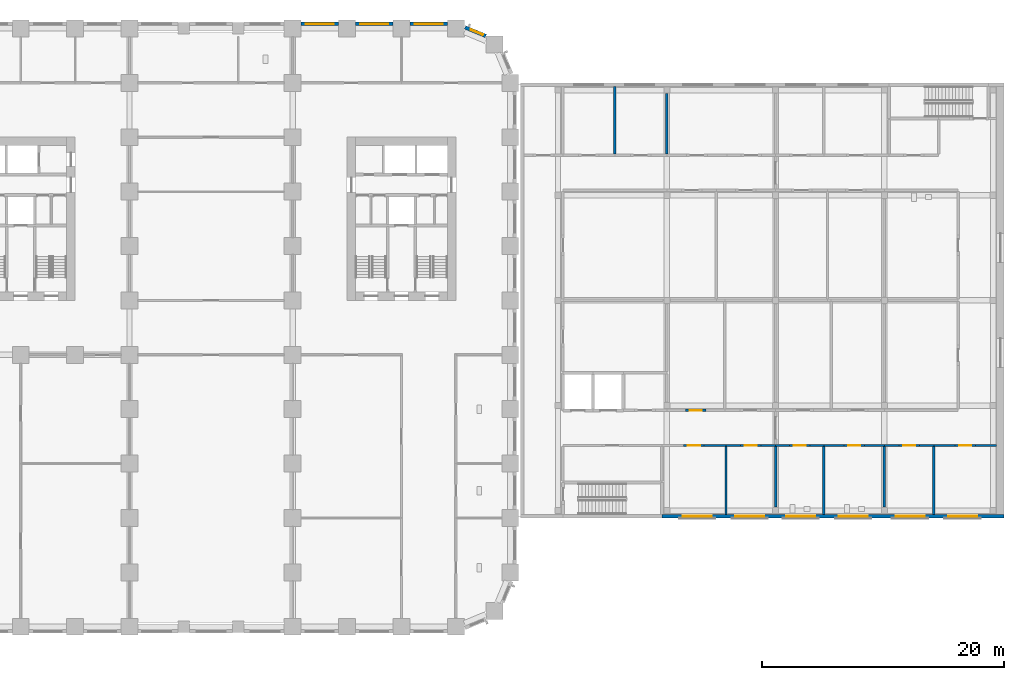
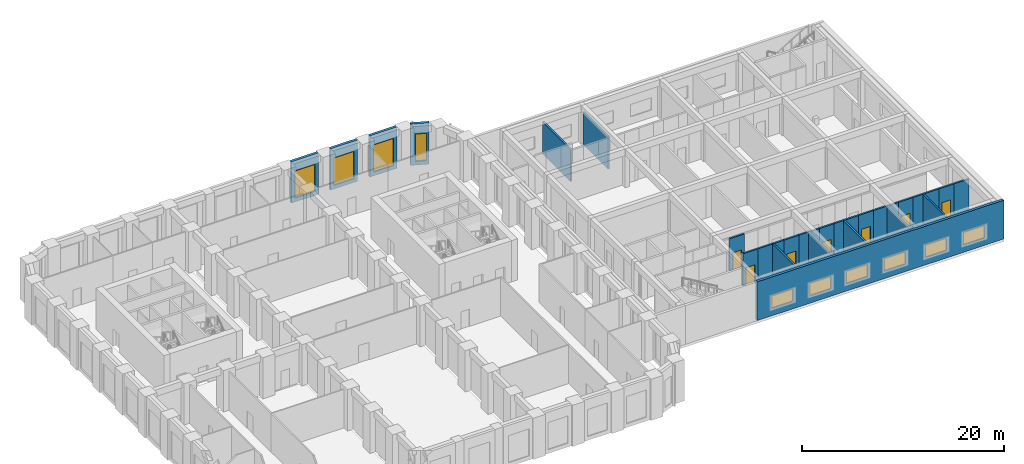
# One storey, part 9 of 19: 30 walls, 10 windows, 7 doors, 17 openings.
"""IFC4 building model written with IfcOpenShell, lengths in metres."""

from ifc_helpers import new_model, si_unit, direction, frame, frame_2d, origin, place, context, subcontext, project, spatial, rectangle, extrude, material, layer, layer_set, type_object, element, fill, save


model = new_model("IFC4")

# Units and contexts
model_context = context("Model", 3, precision=1e-05, world=origin(), true_north=direction((0.0, 1.0)))
body_context = subcontext(model_context, "Body", "Model", "MODEL_VIEW")
ifc_project = project(units=[si_unit("LENGTHUNIT", "METRE"), si_unit("AREAUNIT", "SQUARE_METRE"), si_unit("VOLUMEUNIT", "CUBIC_METRE"), si_unit("PLANEANGLEUNIT", "RADIAN"), si_unit("MASSUNIT", "GRAM", prefix="KILO")], contexts=[model_context])

# Site, building, storey
site_placement = place(None, origin())
site = spatial("IfcSite", under=ifc_project, at=site_placement, CompositionType="ELEMENT")
building_placement = place(site_placement, origin())
building = spatial("IfcBuilding", under=site, at=building_placement, Name="Girih Gate Residences", CompositionType="ELEMENT")
storey_placement = place(building_placement, frame((0.0, 0.0, 21.0)))
storey = spatial("IfcBuildingStorey", under=building, at=storey_placement, Name="L04", CompositionType="ELEMENT", Elevation=21.0)

# Wall, opening, door
ifc_material_1 = material(Name="Fire-rated gypsum partition")
ifc_layer_1 = layer(ifc_material_1, 0.199951171875)
ifc_layer_set_1 = layer_set([ifc_layer_1], Name="HC Corridor wall 200 EI 60")
wall_type_1 = type_object("IfcWallType", Name="HC Corridor wall 200 EI 60", PredefinedType="PARTITIONING", material=ifc_layer_set_1)
wall_1_placement = place(storey_placement, frame((65.550048828125, 15.0, 0.0), z_axis=(0.0, 0.0, 1.0), x_axis=(-1.0, 0.0, 0.0)))
wall_1 = element("IfcWall", 1, at=wall_1_placement, inside=storey, type_object=wall_type_1, Name="L04 wall x15.00/63.9", PredefinedType="PARTITIONING", context=body_context, shape_type="SweptSolid", body=[
    extrude(rectangle(XDim=1.699951171875, YDim=0.199951171875, at=frame_2d((0.85009765625, 0.0))), origin(), (0.0, 0.0, 1.0), 3.89990234375),
])
opening_1_placement = place(wall_1_placement, frame((0.35009765625, 0.0, 0.0)))
opening_1 = element("IfcOpeningElement", 2, at=opening_1_placement, cuts=wall_1, Name="Opening HC-L04-D08", PredefinedType="OPENING", context=body_context, shape_type="SweptSolid", body=[
    extrude(rectangle(XDim=1.0, YDim=2.10009765625, at=frame_2d((0.5, 1.050048828125))), frame((0.0, 0.10986328125, 0.0), z_axis=(0.0, -1.0, 0.0), x_axis=(1.0, 0.0, 0.0)), (0.0, 0.0, 1.0), 0.219970703125),
])
ifc_material_2 = material(Name="Timber door set", Category="wood")
door_type = type_object("IfcDoorType", Name="HC Door 1000x2100 FD30S", OperationType="NOTDEFINED", PredefinedType="DOOR", material=ifc_material_2)
door_1_placement = place(opening_1_placement, origin())
door_1 = element("IfcDoor", 3, at=door_1_placement, inside=storey, type_object=door_type, Name="L04 Administration office door", OperationType="SINGLE_SWING_LEFT", OverallHeight=2.10009765625, OverallWidth=1.0, PredefinedType="DOOR", context=body_context, shape_type="SweptSolid", body=[
    extrude(rectangle(XDim=1.0, YDim=2.10009765625, at=frame_2d((0.5, 1.050048828125))), frame((0.0, 0.02490234375, 0.0), z_axis=(0.0, -1.0, 0.0), x_axis=(1.0, 0.0, 0.0)), (0.0, 0.0, 1.0), 0.050048828125),
])
fill(opening_1, door_1)

# Walls
wall_2_placement = place(storey_placement, frame((65.550048828125, 15.0, 0.0), z_axis=(0.0, 0.0, 1.0), x_axis=(1.0, 0.0, 0.0)))
element("IfcWall", 4, at=wall_2_placement, inside=storey, type_object=wall_type_1, Name="L04 wall x15.00/65.5", PredefinedType="PARTITIONING", context=body_context, shape_type="SweptSolid", body=[
    extrude(rectangle(XDim=1.800048828125, YDim=0.199951171875, at=frame_2d((0.89990234375, 0.0))), origin(), (0.0, 0.0, 1.0), 3.89990234375),
])
wall_3_placement = place(storey_placement, frame((67.35009765625, 15.0, 0.0), z_axis=(0.0, 0.0, 1.0), x_axis=(1.0, 0.0, 0.0)))
element("IfcWall", 5, at=wall_3_placement, inside=storey, type_object=wall_type_1, Name="L04 wall x15.00/67.3", PredefinedType="PARTITIONING", context=body_context, shape_type="SweptSolid", body=[
    extrude(rectangle(XDim=1.199951171875, YDim=0.199951171875, at=frame_2d((0.60009765625, 0.0))), origin(), (0.0, 0.0, 1.0), 3.89990234375),
])

# Wall, opening, door
wall_4_placement = place(storey_placement, frame((70.25, 15.0, 0.0), z_axis=(0.0, 0.0, 1.0), x_axis=(-1.0, 0.0, 0.0)))
wall_4 = element("IfcWall", 6, at=wall_4_placement, inside=storey, type_object=wall_type_1, Name="L04 wall x15.00/68.6", PredefinedType="PARTITIONING", context=body_context, shape_type="SweptSolid", body=[
    extrude(rectangle(XDim=1.699951171875, YDim=0.199951171875, at=frame_2d((0.85009765625, 0.0))), origin(), (0.0, 0.0, 1.0), 3.89990234375),
])
opening_2_placement = place(wall_4_placement, frame((0.35009765625, 0.0, 0.0)))
opening_2 = element("IfcOpeningElement", 7, at=opening_2_placement, cuts=wall_4, Name="Opening HC-L04-D09", PredefinedType="OPENING", context=body_context, shape_type="SweptSolid", body=[
    extrude(rectangle(XDim=1.0, YDim=2.10009765625, at=frame_2d((0.5, 1.050048828125))), frame((0.0, 0.10986328125, 0.0), z_axis=(0.0, -1.0, 0.0), x_axis=(1.0, 0.0, 0.0)), (0.0, 0.0, 1.0), 0.219970703125),
])
door_2_placement = place(opening_2_placement, origin())
door_2 = element("IfcDoor", 8, at=door_2_placement, inside=storey, type_object=door_type, Name="L04 Finance office door", OperationType="SINGLE_SWING_RIGHT", OverallHeight=2.10009765625, OverallWidth=1.0, PredefinedType="DOOR", context=body_context, shape_type="SweptSolid", body=[
    extrude(rectangle(XDim=1.0, YDim=2.10009765625, at=frame_2d((0.5, 1.050048828125))), frame((0.0, 0.02490234375, 0.0), z_axis=(0.0, -1.0, 0.0), x_axis=(1.0, 0.0, 0.0)), (0.0, 0.0, 1.0), 0.050048828125),
])
fill(opening_2, door_2)

# Walls
wall_5_placement = place(storey_placement, frame((70.25, 15.0, 0.0), z_axis=(0.0, 0.0, 1.0), x_axis=(1.0, 0.0, 0.0)))
element("IfcWall", 9, at=wall_5_placement, inside=storey, type_object=wall_type_1, Name="L04 wall x15.00/70.2", PredefinedType="PARTITIONING", context=body_context, shape_type="SweptSolid", body=[
    extrude(rectangle(XDim=1.199951171875, YDim=0.199951171875, at=frame_2d((0.60009765625, 0.0))), origin(), (0.0, 0.0, 1.0), 3.89990234375),
])
wall_6_placement = place(storey_placement, frame((71.449951171875, 15.0, 0.0), z_axis=(0.0, 0.0, 1.0), x_axis=(1.0, 0.0, 0.0)))
element("IfcWall", 10, at=wall_6_placement, inside=storey, type_object=wall_type_1, Name="L04 wall x15.00/71.5", PredefinedType="PARTITIONING", context=body_context, shape_type="SweptSolid", body=[
    extrude(rectangle(XDim=1.150146484375, YDim=0.199951171875, at=frame_2d((0.5751953125, 0.0))), origin(), (0.0, 0.0, 1.0), 3.89990234375),
])

# Wall, opening, door
wall_7_placement = place(storey_placement, frame((74.300048828125, 15.0, 0.0), z_axis=(0.0, 0.0, 1.0), x_axis=(-1.0, 0.0, 0.0)))
wall_7 = element("IfcWall", 11, at=wall_7_placement, inside=storey, type_object=wall_type_1, Name="L04 wall x15.00/72.6", PredefinedType="PARTITIONING", context=body_context, shape_type="SweptSolid", body=[
    extrude(rectangle(XDim=1.699951171875, YDim=0.199951171875, at=frame_2d((0.85009765625, 0.0))), origin(), (0.0, 0.0, 1.0), 3.89990234375),
])
opening_3_placement = place(wall_7_placement, frame((0.35009765625, 0.0, 0.0)))
opening_3 = element("IfcOpeningElement", 12, at=opening_3_placement, cuts=wall_7, Name="Opening HC-L04-D10", PredefinedType="OPENING", context=body_context, shape_type="SweptSolid", body=[
    extrude(rectangle(XDim=1.0, YDim=2.10009765625, at=frame_2d((0.5, 1.050048828125))), frame((0.0, 0.10986328125, 0.0), z_axis=(0.0, -1.0, 0.0), x_axis=(1.0, 0.0, 0.0)), (0.0, 0.0, 1.0), 0.219970703125),
])
door_3_placement = place(opening_3_placement, origin())
door_3 = element("IfcDoor", 13, at=door_3_placement, inside=storey, type_object=door_type, Name="L04 Accessible WC door", OperationType="SINGLE_SWING_LEFT", OverallHeight=2.10009765625, OverallWidth=1.0, PredefinedType="DOOR", context=body_context, shape_type="SweptSolid", body=[
    extrude(rectangle(XDim=1.0, YDim=2.10009765625, at=frame_2d((0.5, 1.050048828125))), frame((0.0, 0.02490234375, 0.0), z_axis=(0.0, -1.0, 0.0), x_axis=(1.0, 0.0, 0.0)), (0.0, 0.0, 1.0), 0.050048828125),
])
fill(opening_3, door_3)

# Walls
wall_8_placement = place(storey_placement, frame((74.300048828125, 15.0, 0.0), z_axis=(0.0, 0.0, 1.0), x_axis=(1.0, 0.0, 0.0)))
element("IfcWall", 14, at=wall_8_placement, inside=storey, type_object=wall_type_1, Name="L04 wall x15.00/74.3", PredefinedType="PARTITIONING", context=body_context, shape_type="SweptSolid", body=[
    extrude(rectangle(XDim=1.14990234375, YDim=0.199951171875, at=frame_2d((0.574951171875, 0.0))), origin(), (0.0, 0.0, 1.0), 3.89990234375),
])
wall_9_placement = place(storey_placement, frame((75.449951171875, 15.0, 0.0), z_axis=(0.0, 0.0, 1.0), x_axis=(1.0, 0.0, 0.0)))
element("IfcWall", 15, at=wall_9_placement, inside=storey, type_object=wall_type_1, Name="L04 wall x15.00/75.5", PredefinedType="PARTITIONING", context=body_context, shape_type="SweptSolid", body=[
    extrude(rectangle(XDim=1.650146484375, YDim=0.199951171875, at=frame_2d((0.8251953125, 0.0))), origin(), (0.0, 0.0, 1.0), 3.89990234375),
])

# Wall, opening, door
wall_10_placement = place(storey_placement, frame((78.800048828125, 15.0, 0.0), z_axis=(0.0, 0.0, 1.0), x_axis=(-1.0, 0.0, 0.0)))
wall_10 = element("IfcWall", 16, at=wall_10_placement, inside=storey, type_object=wall_type_1, Name="L04 wall x15.00/77.1", PredefinedType="PARTITIONING", context=body_context, shape_type="SweptSolid", body=[
    extrude(rectangle(XDim=1.699951171875, YDim=0.199951171875, at=frame_2d((0.85009765625, 0.0))), origin(), (0.0, 0.0, 1.0), 3.89990234375),
])
opening_4_placement = place(wall_10_placement, frame((0.35009765625, 0.0, 0.0)))
opening_4 = element("IfcOpeningElement", 17, at=opening_4_placement, cuts=wall_10, Name="Opening HC-L04-D11", PredefinedType="OPENING", context=body_context, shape_type="SweptSolid", body=[
    extrude(rectangle(XDim=1.0, YDim=2.10009765625, at=frame_2d((0.5, 1.050048828125))), frame((0.0, 0.10986328125, 0.0), z_axis=(0.0, -1.0, 0.0), x_axis=(1.0, 0.0, 0.0)), (0.0, 0.0, 1.0), 0.219970703125),
])
door_4_placement = place(opening_4_placement, origin())
door_4 = element("IfcDoor", 18, at=door_4_placement, inside=storey, type_object=door_type, Name="L04 Public WC door", OperationType="SINGLE_SWING_RIGHT", OverallHeight=2.10009765625, OverallWidth=1.0, PredefinedType="DOOR", context=body_context, shape_type="SweptSolid", body=[
    extrude(rectangle(XDim=1.0, YDim=2.10009765625, at=frame_2d((0.5, 1.050048828125))), frame((0.0, 0.02490234375, 0.0), z_axis=(0.0, -1.0, 0.0), x_axis=(1.0, 0.0, 0.0)), (0.0, 0.0, 1.0), 0.050048828125),
])
fill(opening_4, door_4)

# Walls
wall_11_placement = place(storey_placement, frame((78.800048828125, 15.0, 0.0), z_axis=(0.0, 0.0, 1.0), x_axis=(1.0, 0.0, 0.0)))
element("IfcWall", 19, at=wall_11_placement, inside=storey, type_object=wall_type_1, Name="L04 wall x15.00/78.8", PredefinedType="PARTITIONING", context=body_context, shape_type="SweptSolid", body=[
    extrude(rectangle(XDim=1.64990234375, YDim=0.199951171875, at=frame_2d((0.824951171875, 0.0))), origin(), (0.0, 0.0, 1.0), 3.89990234375),
])
wall_12_placement = place(storey_placement, frame((80.449951171875, 15.0, 0.0), z_axis=(0.0, 0.0, 1.0), x_axis=(1.0, 0.0, 0.0)))
element("IfcWall", 20, at=wall_12_placement, inside=storey, type_object=wall_type_1, Name="L04 wall x15.00/80.5", PredefinedType="PARTITIONING", context=body_context, shape_type="SweptSolid", body=[
    extrude(rectangle(XDim=1.199951171875, YDim=0.199951171875, at=frame_2d((0.60009765625, 0.0))), origin(), (0.0, 0.0, 1.0), 3.89990234375),
])

# Wall, opening, door
wall_13_placement = place(storey_placement, frame((83.35009765625, 15.0, 0.0), z_axis=(0.0, 0.0, 1.0), x_axis=(-1.0, 0.0, 0.0)))
wall_13 = element("IfcWall", 21, at=wall_13_placement, inside=storey, type_object=wall_type_1, Name="L04 wall x15.00/81.7", PredefinedType="PARTITIONING", context=body_context, shape_type="SweptSolid", body=[
    extrude(rectangle(XDim=1.7001953125, YDim=0.199951171875, at=frame_2d((0.85009765625, 0.0))), origin(), (0.0, 0.0, 1.0), 3.89990234375),
])
opening_5_placement = place(wall_13_placement, frame((0.35009765625, 0.0, 0.0)))
opening_5 = element("IfcOpeningElement", 22, at=opening_5_placement, cuts=wall_13, Name="Opening HC-L04-D12", PredefinedType="OPENING", context=body_context, shape_type="SweptSolid", body=[
    extrude(rectangle(XDim=1.0, YDim=2.10009765625, at=frame_2d((0.5, 1.050048828125))), frame((0.0, 0.10986328125, 0.0), z_axis=(0.0, -1.0, 0.0), x_axis=(1.0, 0.0, 0.0)), (0.0, 0.0, 1.0), 0.219970703125),
])
door_5_placement = place(opening_5_placement, origin())
door_5 = element("IfcDoor", 23, at=door_5_placement, inside=storey, type_object=door_type, Name="L04 Practice meeting room door", OperationType="SINGLE_SWING_LEFT", OverallHeight=2.10009765625, OverallWidth=1.0, PredefinedType="DOOR", context=body_context, shape_type="SweptSolid", body=[
    extrude(rectangle(XDim=1.0, YDim=2.10009765625, at=frame_2d((0.5, 1.050048828125))), frame((0.0, 0.02490234375, 0.0), z_axis=(0.0, -1.0, 0.0), x_axis=(1.0, 0.0, 0.0)), (0.0, 0.0, 1.0), 0.050048828125),
])
fill(opening_5, door_5)

# Walls
wall_14_placement = place(storey_placement, frame((83.35009765625, 15.0, 0.0), z_axis=(0.0, 0.0, 1.0), x_axis=(1.0, 0.0, 0.0)))
element("IfcWall", 24, at=wall_14_placement, inside=storey, type_object=wall_type_1, Name="L04 wall x15.00/83.3", PredefinedType="PARTITIONING", context=body_context, shape_type="SweptSolid", body=[
    extrude(rectangle(XDim=1.199951171875, YDim=0.199951171875, at=frame_2d((0.60009765625, 0.0))), origin(), (0.0, 0.0, 1.0), 3.89990234375),
])
wall_15_placement = place(storey_placement, frame((84.550048828125, 15.0, 0.0), z_axis=(0.0, 0.0, 1.0), x_axis=(1.0, 0.0, 0.0)))
element("IfcWall", 25, at=wall_15_placement, inside=storey, type_object=wall_type_1, Name="L04 wall x15.00/84.5", PredefinedType="PARTITIONING", context=body_context, shape_type="SweptSolid", body=[
    extrude(rectangle(XDim=1.75, YDim=0.199951171875, at=frame_2d((0.875, 0.0))), origin(), (0.0, 0.0, 1.0), 3.89990234375),
])

# Wall, opening, door
wall_16_placement = place(storey_placement, frame((88.0, 15.0, 0.0), z_axis=(0.0, 0.0, 1.0), x_axis=(-1.0, 0.0, 0.0)))
wall_16 = element("IfcWall", 26, at=wall_16_placement, inside=storey, type_object=wall_type_1, Name="L04 wall x15.00/86.3", PredefinedType="PARTITIONING", context=body_context, shape_type="SweptSolid", body=[
    extrude(rectangle(XDim=1.699951171875, YDim=0.199951171875, at=frame_2d((0.85009765625, 0.0))), origin(), (0.0, 0.0, 1.0), 3.89990234375),
])
opening_6_placement = place(wall_16_placement, frame((0.35009765625, 0.0, 0.0)))
opening_6 = element("IfcOpeningElement", 27, at=opening_6_placement, cuts=wall_16, Name="Opening HC-L04-D13", PredefinedType="OPENING", context=body_context, shape_type="SweptSolid", body=[
    extrude(rectangle(XDim=1.0, YDim=2.10009765625, at=frame_2d((0.5, 1.050048828125))), frame((0.0, 0.10986328125, 0.0), z_axis=(0.0, -1.0, 0.0), x_axis=(1.0, 0.0, 0.0)), (0.0, 0.0, 1.0), 0.219970703125),
])
door_6_placement = place(opening_6_placement, origin())
door_6 = element("IfcDoor", 28, at=door_6_placement, inside=storey, type_object=door_type, Name="L04 Staff kitchen door", OperationType="SINGLE_SWING_RIGHT", OverallHeight=2.10009765625, OverallWidth=1.0, PredefinedType="DOOR", context=body_context, shape_type="SweptSolid", body=[
    extrude(rectangle(XDim=1.0, YDim=2.10009765625, at=frame_2d((0.5, 1.050048828125))), frame((0.0, 0.02490234375, 0.0), z_axis=(0.0, -1.0, 0.0), x_axis=(1.0, 0.0, 0.0)), (0.0, 0.0, 1.0), 0.050048828125),
])
fill(opening_6, door_6)

# Wall
wall_17_placement = place(storey_placement, frame((88.0, 15.0, 0.0), z_axis=(0.0, 0.0, 1.0), x_axis=(1.0, 0.0, 0.0)))
element("IfcWall", 29, at=wall_17_placement, inside=storey, type_object=wall_type_1, Name="L04 wall x15.00/88.0", PredefinedType="PARTITIONING", context=body_context, shape_type="SweptSolid", body=[
    extrude(rectangle(XDim=1.75, YDim=0.199951171875, at=frame_2d((0.875, 0.0))), origin(), (0.0, 0.0, 1.0), 3.89990234375),
])

# Wall, opening, door
wall_18_placement = place(storey_placement, frame((64.0, 17.89990234375, 0.0), z_axis=(0.0, 0.0, 1.0), x_axis=(1.0, 0.0, 0.0)))
wall_18 = element("IfcWall", 30, at=wall_18_placement, inside=storey, type_object=wall_type_1, Name="L04 wall x17.90/64.0", PredefinedType="PARTITIONING", context=body_context, shape_type="SweptSolid", body=[
    extrude(rectangle(XDim=1.699951171875, YDim=0.199951171875, at=frame_2d((0.85009765625, 0.0))), origin(), (0.0, 0.0, 1.0), 3.89990234375),
])
opening_7_placement = place(wall_18_placement, frame((0.35009765625, 0.0, 0.0)))
opening_7 = element("IfcOpeningElement", 31, at=opening_7_placement, cuts=wall_18, Name="Opening HC-L04-D16", PredefinedType="OPENING", context=body_context, shape_type="SweptSolid", body=[
    extrude(rectangle(XDim=1.0, YDim=2.10009765625, at=frame_2d((0.5, 1.050048828125))), frame((0.0, 0.10986328125, 0.0), z_axis=(0.0, -1.0, 0.0), x_axis=(1.0, 0.0, 0.0)), (0.0, 0.0, 1.0), 0.219970703125),
])
door_7_placement = place(opening_7_placement, origin())
door_7 = element("IfcDoor", 32, at=door_7_placement, inside=storey, type_object=door_type, Name="L04 Administration hub door", OperationType="SINGLE_SWING_RIGHT", OverallHeight=2.10009765625, OverallWidth=1.0, PredefinedType="DOOR", context=body_context, shape_type="SweptSolid", body=[
    extrude(rectangle(XDim=1.0, YDim=2.10009765625, at=frame_2d((0.5, 1.050048828125))), frame((0.0, 0.02490234375, 0.0), z_axis=(0.0, -1.0, 0.0), x_axis=(1.0, 0.0, 0.0)), (0.0, 0.0, 1.0), 0.050048828125),
])
fill(opening_7, door_7)

# Wall, openings, windows
ifc_material_3 = material(Name="Precast concrete C40/50", Category="concrete")
ifc_layer_2 = layer(ifc_material_3, 0.300048828125)
ifc_layer_set_2 = layer_set([ifc_layer_2], Name="HC Facade wall 300")
wall_type_2 = type_object("IfcWallType", Name="HC Facade wall 300", PredefinedType="SOLIDWALL", material=ifc_layer_set_2)
wall_19_placement = place(storey_placement, frame((90.35009765625, 9.14990234375, 0.0), z_axis=(0.0, 0.0, 1.0), x_axis=(-1.0, 0.0, 0.0)))
wall_19 = element("IfcWall", 33, at=wall_19_placement, inside=storey, type_object=wall_type_2, Name="L04 south facade wall", PredefinedType="SOLIDWALL", context=body_context, shape_type="SweptSolid", body=[
    extrude(rectangle(XDim=28.300048828125, YDim=0.300048828125, at=frame_2d((14.14990234375, 0.0))), origin(), (0.0, 0.0, 1.0), 4.699951171875),
])
opening_8_placement = place(wall_19_placement, frame((2.22509765625, 0.0, 0.89990234375)))
opening_8 = element("IfcOpeningElement", 34, at=opening_8_placement, cuts=wall_19, Name="Opening HC-W-L04-S06", PredefinedType="OPENING", context=body_context, shape_type="SweptSolid", body=[
    extrude(rectangle(XDim=2.39990234375, YDim=1.5, at=frame_2d((1.199951171875, 0.75))), frame((0.0, 0.159912109375, 0.0), z_axis=(0.0, -1.0, 0.0), x_axis=(1.0, 0.0, 0.0)), (0.0, 0.0, 1.0), 0.320068359375),
])
opening_9_placement = place(wall_19_placement, frame((6.574951171875, 0.0, 0.89990234375)))
opening_9 = element("IfcOpeningElement", 35, at=opening_9_placement, cuts=wall_19, Name="Opening HC-W-L04-S05", PredefinedType="OPENING", context=body_context, shape_type="SweptSolid", body=[
    extrude(rectangle(XDim=2.39990234375, YDim=1.5, at=frame_2d((1.199951171875, 0.75))), frame((0.0, 0.159912109375, 0.0), z_axis=(0.0, -1.0, 0.0), x_axis=(1.0, 0.0, 0.0)), (0.0, 0.0, 1.0), 0.320068359375),
])
opening_10_placement = place(wall_19_placement, frame((11.27490234375, 0.0, 0.89990234375)))
opening_10 = element("IfcOpeningElement", 36, at=opening_10_placement, cuts=wall_19, Name="Opening HC-W-L04-S04", PredefinedType="OPENING", context=body_context, shape_type="SweptSolid", body=[
    extrude(rectangle(XDim=2.39990234375, YDim=1.5, at=frame_2d((1.199951171875, 0.75))), frame((0.0, 0.159912109375, 0.0), z_axis=(0.0, -1.0, 0.0), x_axis=(1.0, 0.0, 0.0)), (0.0, 0.0, 1.0), 0.320068359375),
])
opening_11_placement = place(wall_19_placement, frame((15.625, 0.0, 0.89990234375)))
opening_11 = element("IfcOpeningElement", 37, at=opening_11_placement, cuts=wall_19, Name="Opening HC-W-L04-S03", PredefinedType="OPENING", context=body_context, shape_type="SweptSolid", body=[
    extrude(rectangle(XDim=2.39990234375, YDim=1.5, at=frame_2d((1.199951171875, 0.75))), frame((0.0, 0.159912109375, 0.0), z_axis=(0.0, -1.0, 0.0), x_axis=(1.0, 0.0, 0.0)), (0.0, 0.0, 1.0), 0.320068359375),
])
opening_12_placement = place(wall_19_placement, frame((19.824951171875, 0.0, 0.89990234375)))
opening_12 = element("IfcOpeningElement", 38, at=opening_12_placement, cuts=wall_19, Name="Opening HC-W-L04-S02", PredefinedType="OPENING", context=body_context, shape_type="SweptSolid", body=[
    extrude(rectangle(XDim=2.39990234375, YDim=1.5, at=frame_2d((1.199951171875, 0.75))), frame((0.0, 0.159912109375, 0.0), z_axis=(0.0, -1.0, 0.0), x_axis=(1.0, 0.0, 0.0)), (0.0, 0.0, 1.0), 0.320068359375),
])
opening_13_placement = place(wall_19_placement, frame((24.175048828125, 0.0, 0.89990234375)))
opening_13 = element("IfcOpeningElement", 39, at=opening_13_placement, cuts=wall_19, Name="Opening HC-W-L04-S01", PredefinedType="OPENING", context=body_context, shape_type="SweptSolid", body=[
    extrude(rectangle(XDim=2.39990234375, YDim=1.5, at=frame_2d((1.199951171875, 0.75))), frame((0.0, 0.159912109375, 0.0), z_axis=(0.0, -1.0, 0.0), x_axis=(1.0, 0.0, 0.0)), (0.0, 0.0, 1.0), 0.320068359375),
])
ifc_material_4 = material(Name="Aluminium framed glazing", Category="aluminium")
window_type_1 = type_object("IfcWindowType", Name="HC Window W-4 2400x1500", PartitioningType="DOUBLE_PANEL_VERTICAL", PredefinedType="WINDOW", material=ifc_material_4)
window_1_placement = place(opening_8_placement, origin())
window_1 = element("IfcWindow", 40, at=window_1_placement, inside=storey, type_object=window_type_1, Name="L04 south window 6", OverallHeight=1.5, OverallWidth=2.39990234375, PartitioningType="DOUBLE_PANEL_VERTICAL", PredefinedType="WINDOW", context=body_context, shape_type="SweptSolid", body=[
    extrude(rectangle(XDim=2.39990234375, YDim=1.5, at=frame_2d((1.199951171875, 0.75))), frame((0.0, 0.030029296875, 0.0), z_axis=(0.0, -1.0, 0.0), x_axis=(1.0, 0.0, 0.0)), (0.0, 0.0, 1.0), 0.06005859375),
])
fill(opening_8, window_1)
window_2_placement = place(opening_9_placement, origin())
window_2 = element("IfcWindow", 41, at=window_2_placement, inside=storey, type_object=window_type_1, Name="L04 south window 5", OverallHeight=1.5, OverallWidth=2.39990234375, PartitioningType="DOUBLE_PANEL_VERTICAL", PredefinedType="WINDOW", context=body_context, shape_type="SweptSolid", body=[
    extrude(rectangle(XDim=2.39990234375, YDim=1.5, at=frame_2d((1.199951171875, 0.75))), frame((0.0, 0.030029296875, 0.0), z_axis=(0.0, -1.0, 0.0), x_axis=(1.0, 0.0, 0.0)), (0.0, 0.0, 1.0), 0.06005859375),
])
fill(opening_9, window_2)
window_3_placement = place(opening_10_placement, origin())
window_3 = element("IfcWindow", 42, at=window_3_placement, inside=storey, type_object=window_type_1, Name="L04 south window 4", OverallHeight=1.5, OverallWidth=2.39990234375, PartitioningType="DOUBLE_PANEL_VERTICAL", PredefinedType="WINDOW", context=body_context, shape_type="SweptSolid", body=[
    extrude(rectangle(XDim=2.39990234375, YDim=1.5, at=frame_2d((1.199951171875, 0.75))), frame((0.0, 0.030029296875, 0.0), z_axis=(0.0, -1.0, 0.0), x_axis=(1.0, 0.0, 0.0)), (0.0, 0.0, 1.0), 0.06005859375),
])
fill(opening_10, window_3)
window_4_placement = place(opening_11_placement, origin())
window_4 = element("IfcWindow", 43, at=window_4_placement, inside=storey, type_object=window_type_1, Name="L04 south window 3", OverallHeight=1.5, OverallWidth=2.39990234375, PartitioningType="DOUBLE_PANEL_VERTICAL", PredefinedType="WINDOW", context=body_context, shape_type="SweptSolid", body=[
    extrude(rectangle(XDim=2.39990234375, YDim=1.5, at=frame_2d((1.199951171875, 0.75))), frame((0.0, 0.030029296875, 0.0), z_axis=(0.0, -1.0, 0.0), x_axis=(1.0, 0.0, 0.0)), (0.0, 0.0, 1.0), 0.06005859375),
])
fill(opening_11, window_4)
window_5_placement = place(opening_12_placement, origin())
window_5 = element("IfcWindow", 44, at=window_5_placement, inside=storey, type_object=window_type_1, Name="L04 south window 2", OverallHeight=1.5, OverallWidth=2.39990234375, PartitioningType="DOUBLE_PANEL_VERTICAL", PredefinedType="WINDOW", context=body_context, shape_type="SweptSolid", body=[
    extrude(rectangle(XDim=2.39990234375, YDim=1.5, at=frame_2d((1.199951171875, 0.75))), frame((0.0, 0.030029296875, 0.0), z_axis=(0.0, -1.0, 0.0), x_axis=(1.0, 0.0, 0.0)), (0.0, 0.0, 1.0), 0.06005859375),
])
fill(opening_12, window_5)
window_6_placement = place(opening_13_placement, origin())
window_6 = element("IfcWindow", 45, at=window_6_placement, inside=storey, type_object=window_type_1, Name="L04 south window 1", OverallHeight=1.5, OverallWidth=2.39990234375, PartitioningType="DOUBLE_PANEL_VERTICAL", PredefinedType="WINDOW", context=body_context, shape_type="SweptSolid", body=[
    extrude(rectangle(XDim=2.39990234375, YDim=1.5, at=frame_2d((1.199951171875, 0.75))), frame((0.0, 0.030029296875, 0.0), z_axis=(0.0, -1.0, 0.0), x_axis=(1.0, 0.0, 0.0)), (0.0, 0.0, 1.0), 0.06005859375),
])
fill(opening_13, window_6)

# Walls
ifc_material_5 = material(Name="Gypsum partition")
ifc_layer_3 = layer(ifc_material_5, 0.199951171875)
ifc_layer_set_3 = layer_set([ifc_layer_3], Name="HC Room partition 200 EI 30")
wall_type_3 = type_object("IfcWallType", Name="HC Room partition 200 EI 30", PredefinedType="PARTITIONING", material=ifc_layer_set_3)
wall_20_placement = place(storey_placement, frame((58.14990234375, 39.10009765625, 0.0), z_axis=(0.0, 0.0, 1.0), x_axis=(0.0, 1.0, 0.0)))
element("IfcWall", 46, at=wall_20_placement, inside=storey, type_object=wall_type_3, Name="L04 wall y58.15/39.1", PredefinedType="PARTITIONING", context=body_context, shape_type="SweptSolid", body=[
    extrude(rectangle(XDim=5.599853515625, YDim=0.199951171875, at=frame_2d((2.7998046875, 0.0))), origin(), (0.0, 0.0, 1.0), 3.89990234375),
])
wall_21_placement = place(storey_placement, frame((62.449951171875, 39.10009765625, 0.0), z_axis=(0.0, 0.0, 1.0), x_axis=(0.0, 1.0, 0.0)))
element("IfcWall", 47, at=wall_21_placement, inside=storey, type_object=wall_type_3, Name="L04 wall y62.45/39.1", PredefinedType="PARTITIONING", context=body_context, shape_type="SweptSolid", body=[
    extrude(rectangle(XDim=5.0, YDim=0.199951171875, at=frame_2d((2.5, 0.0))), origin(), (0.0, 0.0, 1.0), 3.89990234375),
])
wall_22_placement = place(storey_placement, frame((67.35009765625, 9.300048828125, 0.0), z_axis=(0.0, 0.0, 1.0), x_axis=(0.0, 1.0, 0.0)))
element("IfcWall", 48, at=wall_22_placement, inside=storey, type_object=wall_type_3, Name="L04 wall y67.35/9.3", PredefinedType="PARTITIONING", context=body_context, shape_type="SweptSolid", body=[
    extrude(rectangle(XDim=5.599853515625, YDim=0.199951171875, at=frame_2d((2.7998046875, 0.0))), origin(), (0.0, 0.0, 1.0), 3.89990234375),
])
wall_23_placement = place(storey_placement, frame((71.449951171875, 9.89990234375, 0.0), z_axis=(0.0, 0.0, 1.0), x_axis=(0.0, 1.0, 0.0)))
element("IfcWall", 49, at=wall_23_placement, inside=storey, type_object=wall_type_3, Name="L04 wall y71.45/9.9", PredefinedType="PARTITIONING", context=body_context, shape_type="SweptSolid", body=[
    extrude(rectangle(XDim=5.0, YDim=0.199951171875, at=frame_2d((2.5, 0.0))), origin(), (0.0, 0.0, 1.0), 3.89990234375),
])
wall_24_placement = place(storey_placement, frame((75.449951171875, 9.300048828125, 0.0), z_axis=(0.0, 0.0, 1.0), x_axis=(0.0, 1.0, 0.0)))
element("IfcWall", 50, at=wall_24_placement, inside=storey, type_object=wall_type_3, Name="L04 wall y75.45/9.3", PredefinedType="PARTITIONING", context=body_context, shape_type="SweptSolid", body=[
    extrude(rectangle(XDim=5.599853515625, YDim=0.199951171875, at=frame_2d((2.7998046875, 0.0))), origin(), (0.0, 0.0, 1.0), 3.89990234375),
])
wall_25_placement = place(storey_placement, frame((80.449951171875, 9.89990234375, 0.0), z_axis=(0.0, 0.0, 1.0), x_axis=(0.0, 1.0, 0.0)))
element("IfcWall", 51, at=wall_25_placement, inside=storey, type_object=wall_type_3, Name="L04 wall y80.45/9.9", PredefinedType="PARTITIONING", context=body_context, shape_type="SweptSolid", body=[
    extrude(rectangle(XDim=5.0, YDim=0.199951171875, at=frame_2d((2.5, 0.0))), origin(), (0.0, 0.0, 1.0), 3.89990234375),
])
wall_26_placement = place(storey_placement, frame((84.550048828125, 9.300048828125, 0.0), z_axis=(0.0, 0.0, 1.0), x_axis=(0.0, 1.0, 0.0)))
element("IfcWall", 52, at=wall_26_placement, inside=storey, type_object=wall_type_3, Name="L04 wall y84.55/9.3", PredefinedType="PARTITIONING", context=body_context, shape_type="SweptSolid", body=[
    extrude(rectangle(XDim=5.599853515625, YDim=0.199951171875, at=frame_2d((2.7998046875, 0.0))), origin(), (0.0, 0.0, 1.0), 3.89990234375),
])

# Wall, opening, window
ifc_material_6 = material(Name="Precast concrete C50/60", Category="concrete")
ifc_layer_4 = layer(ifc_material_6, 0.080078125, Name="Outer leaf")
ifc_material_7 = material(Name="Rigid PIR insulation")
ifc_layer_5 = layer(ifc_material_7, 0.14990234375, Name="Insulation")
ifc_layer_6 = layer(ifc_material_3, 0.070068359375, Name="Inner leaf")
ifc_layer_set_4 = layer_set([ifc_layer_4, ifc_layer_5, ifc_layer_6], Name="Precast concrete C50/60 external wall 300")
wall_type_4 = type_object("IfcWallType", Name="Precast concrete C50/60 external wall 300", PredefinedType="SOLIDWALL", material=ifc_layer_set_4)
wall_27_placement = place(storey_placement, frame((45.75732421875, 49.59228515625, 0.0), z_axis=(0.0, 0.0, 1.0), x_axis=(0.923857286003, -0.382737135771, 0.0)))
wall_27 = element("IfcWall", 53, at=wall_27_placement, inside=storey, type_object=wall_type_4, Name="External wall NE0482_0482.0", PredefinedType="SOLIDWALL", context=body_context, shape_type="SweptSolid", body=[
    extrude(rectangle(XDim=1.865234375, YDim=0.300048828125, at=frame_2d((0.9326171875, 0.0))), origin(), (0.0, 0.0, 1.0), 5.0),
])
opening_14_placement = place(wall_27_placement, frame((0.507568359375, 0.0, 0.449951171875)))
opening_14 = element("IfcOpeningElement", 54, at=opening_14_placement, cuts=wall_27, Name="Opening W-2A", PredefinedType="OPENING", context=body_context, shape_type="SweptSolid", body=[
    extrude(rectangle(XDim=1.10009765625, YDim=3.300048828125, at=frame_2d((0.550048828125, 1.64990234375))), frame((0.0, 0.159912109375, 0.0), z_axis=(0.0, -1.0, 0.0), x_axis=(1.0, 0.0, 0.0)), (0.0, 0.0, 1.0), 0.320068359375),
])
ifc_material_8 = material(Name="Double glazing in aluminium frame", Category="aluminium")
window_type_2 = type_object("IfcWindowType", Name="Window W-2A 1100x3300", PartitioningType="SINGLE_PANEL", PredefinedType="WINDOW", material=ifc_material_8)
window_7_placement = place(opening_14_placement, origin())
window_7 = element("IfcWindow", 55, at=window_7_placement, inside=storey, type_object=window_type_2, Name="Window W-2A NE0482_0482.0", OverallHeight=3.300048828125, OverallWidth=1.10009765625, PartitioningType="SINGLE_PANEL", PredefinedType="WINDOW", context=body_context, shape_type="SweptSolid", body=[
    extrude(rectangle(XDim=1.10009765625, YDim=3.300048828125, at=frame_2d((0.550048828125, 1.64990234375))), frame((0.0, 0.030029296875, 0.0), z_axis=(0.0, -1.0, 0.0), x_axis=(1.0, 0.0, 0.0)), (0.0, 0.0, 1.0), 0.06005859375),
])
fill(opening_14, window_7)

wall_28_placement = place(storey_placement, frame((41.199951171875, 49.875, 0.0), z_axis=(0.0, 0.0, 1.0), x_axis=(1.0, 0.0, 0.0)))
wall_28 = element("IfcWall", 56, at=wall_28_placement, inside=storey, type_object=wall_type_4, Name="External wall N0450_0495.0", PredefinedType="SOLIDWALL", context=body_context, shape_type="SweptSolid", body=[
    extrude(rectangle(XDim=3.10009765625, YDim=0.300048828125, at=frame_2d((1.550048828125, 0.0))), origin(), (0.0, 0.0, 1.0), 5.0),
])
opening_15_placement = place(wall_28_placement, frame((0.39990234375, 0.0, 0.449951171875)))
opening_15 = element("IfcOpeningElement", 57, at=opening_15_placement, cuts=wall_28, Name="Opening W-3", PredefinedType="OPENING", context=body_context, shape_type="SweptSolid", body=[
    extrude(rectangle(XDim=2.300048828125, YDim=3.300048828125, at=frame_2d((1.14990234375, 1.64990234375))), frame((0.0, 0.159912109375, 0.0), z_axis=(0.0, -1.0, 0.0), x_axis=(1.0, 0.0, 0.0)), (0.0, 0.0, 1.0), 0.320068359375),
])
window_type_3 = type_object("IfcWindowType", Name="Window W-3 2300x3300", PartitioningType="SINGLE_PANEL", PredefinedType="WINDOW", material=ifc_material_8)
window_8_placement = place(opening_15_placement, origin())
window_8 = element("IfcWindow", 58, at=window_8_placement, inside=storey, type_object=window_type_3, Name="Window W-3 N0450_0495.0", OverallHeight=3.300048828125, OverallWidth=2.300048828125, PartitioningType="SINGLE_PANEL", PredefinedType="WINDOW", context=body_context, shape_type="SweptSolid", body=[
    extrude(rectangle(XDim=2.300048828125, YDim=3.300048828125, at=frame_2d((1.14990234375, 1.64990234375))), frame((0.0, 0.030029296875, 0.0), z_axis=(0.0, -1.0, 0.0), x_axis=(1.0, 0.0, 0.0)), (0.0, 0.0, 1.0), 0.06005859375),
])
fill(opening_15, window_8)

wall_29_placement = place(storey_placement, frame((36.699951171875, 49.875, 0.0), z_axis=(0.0, 0.0, 1.0), x_axis=(1.0, 0.0, 0.0)))
wall_29 = element("IfcWall", 59, at=wall_29_placement, inside=storey, type_object=wall_type_4, Name="External wall N0450_0495.1", PredefinedType="SOLIDWALL", context=body_context, shape_type="SweptSolid", body=[
    extrude(rectangle(XDim=3.10009765625, YDim=0.300048828125, at=frame_2d((1.550048828125, 0.0))), origin(), (0.0, 0.0, 1.0), 5.0),
])
opening_16_placement = place(wall_29_placement, frame((0.39990234375, 0.0, 0.449951171875)))
opening_16 = element("IfcOpeningElement", 60, at=opening_16_placement, cuts=wall_29, Name="Opening W-3", PredefinedType="OPENING", context=body_context, shape_type="SweptSolid", body=[
    extrude(rectangle(XDim=2.300048828125, YDim=3.300048828125, at=frame_2d((1.14990234375, 1.64990234375))), frame((0.0, 0.159912109375, 0.0), z_axis=(0.0, -1.0, 0.0), x_axis=(1.0, 0.0, 0.0)), (0.0, 0.0, 1.0), 0.320068359375),
])
window_9_placement = place(opening_16_placement, origin())
window_9 = element("IfcWindow", 61, at=window_9_placement, inside=storey, type_object=window_type_3, Name="Window W-3 N0450_0495.1", OverallHeight=3.300048828125, OverallWidth=2.300048828125, PartitioningType="SINGLE_PANEL", PredefinedType="WINDOW", context=body_context, shape_type="SweptSolid", body=[
    extrude(rectangle(XDim=2.300048828125, YDim=3.300048828125, at=frame_2d((1.14990234375, 1.64990234375))), frame((0.0, 0.030029296875, 0.0), z_axis=(0.0, -1.0, 0.0), x_axis=(1.0, 0.0, 0.0)), (0.0, 0.0, 1.0), 0.06005859375),
])
fill(opening_16, window_9)

wall_30_placement = place(storey_placement, frame((32.199951171875, 49.875, 0.0), z_axis=(0.0, 0.0, 1.0), x_axis=(1.0, 0.0, 0.0)))
wall_30 = element("IfcWall", 62, at=wall_30_placement, inside=storey, type_object=wall_type_4, Name="External wall N0450_0495.2", PredefinedType="SOLIDWALL", context=body_context, shape_type="SweptSolid", body=[
    extrude(rectangle(XDim=3.10009765625, YDim=0.300048828125, at=frame_2d((1.550048828125, 0.0))), origin(), (0.0, 0.0, 1.0), 5.0),
])
opening_17_placement = place(wall_30_placement, frame((0.39990234375, 0.0, 0.449951171875)))
opening_17 = element("IfcOpeningElement", 63, at=opening_17_placement, cuts=wall_30, Name="Opening W-3", PredefinedType="OPENING", context=body_context, shape_type="SweptSolid", body=[
    extrude(rectangle(XDim=2.300048828125, YDim=3.300048828125, at=frame_2d((1.14990234375, 1.64990234375))), frame((0.0, 0.159912109375, 0.0), z_axis=(0.0, -1.0, 0.0), x_axis=(1.0, 0.0, 0.0)), (0.0, 0.0, 1.0), 0.320068359375),
])
window_10_placement = place(opening_17_placement, origin())
window_10 = element("IfcWindow", 64, at=window_10_placement, inside=storey, type_object=window_type_3, Name="Window W-3 N0450_0495.2", OverallHeight=3.300048828125, OverallWidth=2.300048828125, PartitioningType="SINGLE_PANEL", PredefinedType="WINDOW", context=body_context, shape_type="SweptSolid", body=[
    extrude(rectangle(XDim=2.300048828125, YDim=3.300048828125, at=frame_2d((1.14990234375, 1.64990234375))), frame((0.0, 0.030029296875, 0.0), z_axis=(0.0, -1.0, 0.0), x_axis=(1.0, 0.0, 0.0)), (0.0, 0.0, 1.0), 0.06005859375),
])
fill(opening_17, window_10)

save(model, "model.ifc")
